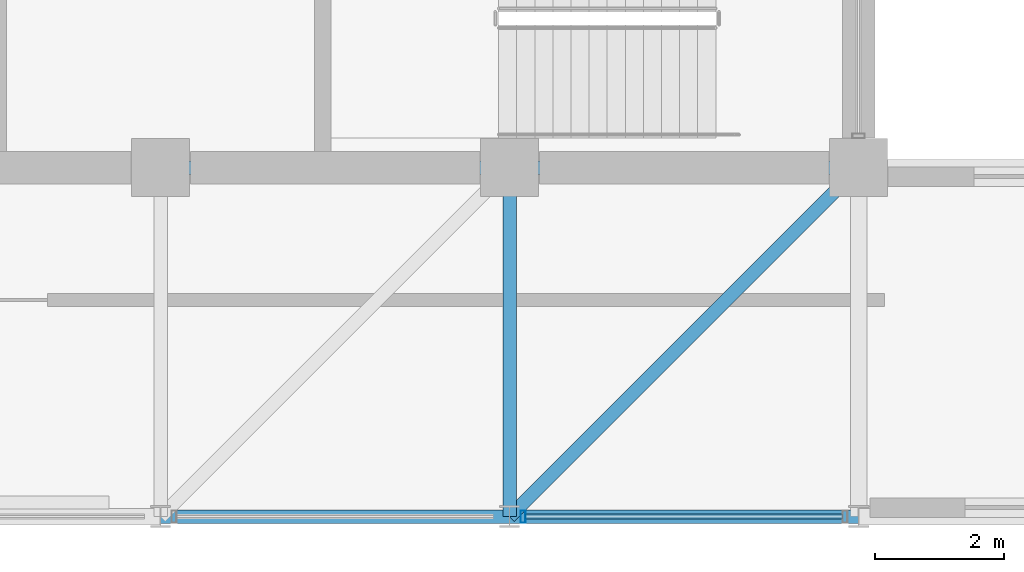
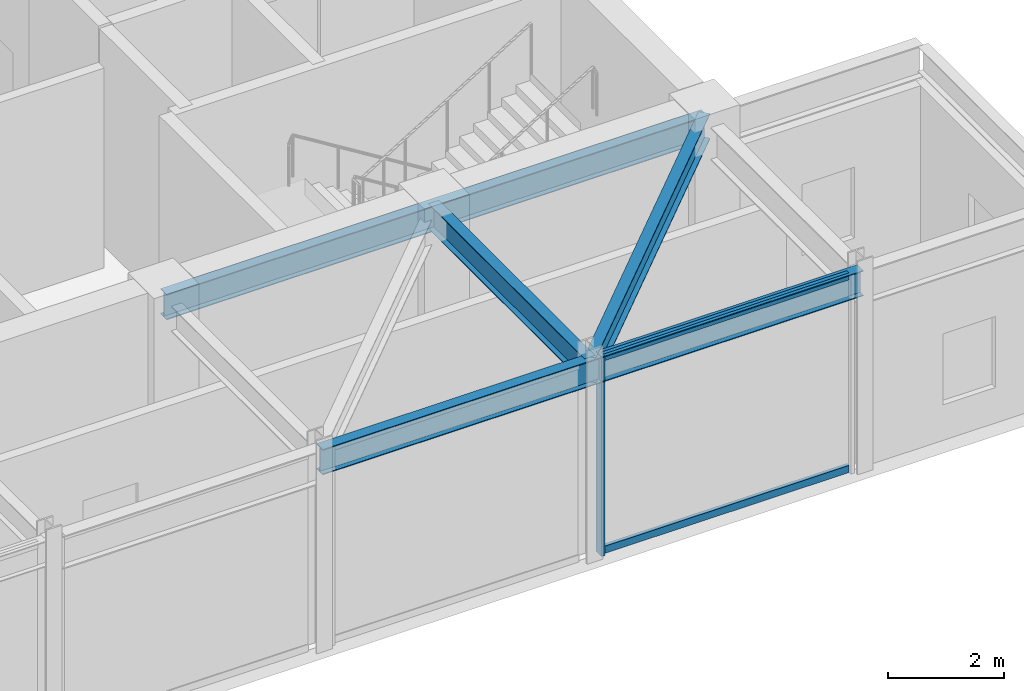
# One storey, part 5 of 18: 4 beams, 3 members, 1 element without a shape of its own.
"""IFC4 building model written with IfcOpenShell, lengths in metres."""

from ifc_helpers import new_model, si_unit, direction, frame, origin, origin_2d, place, context, subcontext, project, spatial, hollow_rectangle, i_section, extrude, material, layer, layer_set, material_profile, profile_set, type_object, element, aggregate, save


model = new_model("IFC4")

# Units and contexts
model_context = context("Model", 3, precision=1e-05, world=origin(), true_north=direction((0.0, 1.0)))
body_context = subcontext(model_context, "Body", "Model", "MODEL_VIEW")
ifc_project = project(units=[si_unit("LENGTHUNIT", "METRE"), si_unit("AREAUNIT", "SQUARE_METRE"), si_unit("VOLUMEUNIT", "CUBIC_METRE"), si_unit("PLANEANGLEUNIT", "RADIAN"), si_unit("MASSUNIT", "GRAM", prefix="KILO")], contexts=[model_context])

# Site, building, storey
site_placement = place(None, origin())
site = spatial("IfcSite", under=ifc_project, at=site_placement, CompositionType="ELEMENT")
building_placement = place(site_placement, origin())
building = spatial("IfcBuilding", under=site, at=building_placement, Name="Surkhivell Harbour Commons", CompositionType="ELEMENT")
storey_placement = place(building_placement, frame((0.0, 0.0, 351.0)))
storey = spatial("IfcBuildingStorey", under=building, at=storey_placement, Name="L91", CompositionType="ELEMENT", Elevation=351.0)

# Beams
ifc_material_1 = material(Name="Steel S355", Category="steel")
ifc_material_profile_1 = material_profile(ifc_material_1, i_section(OverallWidth=0.2099609375, OverallDepth=0.537109375, WebThickness=0.0107421875, FlangeThickness=0.017333984375, at=origin_2d()), Name="UB533x210x101")
ifc_profile_set_1 = profile_set([ifc_material_profile_1], Name="Steel S355")
beam_type = type_object("IfcBeamType", Name="BM-GRD-533B", PredefinedType="BEAM", material=ifc_profile_set_1)
for number, where, z_axis, x_axis, name in (
    (1, (0.0, -16.199951171875, 3.951416015625), (1.0, 0.0, 0.0), (0.0, 1.0, 0.0), "L91 Cantilever Back-Span Girder (0.0,-16.2)"),
    (2, (0.0, -10.800048828125, 3.951416015625), (1.0, 0.0, 0.0), (0.0, 1.0, 0.0), "L91 Cantilever Back-Span Girder (0.0,-10.8)"),
):
    element("IfcBeam", number, at=place(storey_placement, frame(where, z_axis=z_axis, x_axis=x_axis)), inside=storey, type_object=beam_type, Name=name, PredefinedType="BEAM", context=body_context, shape_type="SweptSolid", body=[
        extrude(i_section(OverallWidth=0.2099609375, OverallDepth=0.537109375, WebThickness=0.0107421875, FlangeThickness=0.017333984375, at=origin_2d()), origin(), (0.0, 0.0, 1.0), 10.800048828125),
    ])
beam_1_placement = place(storey_placement, frame((5.39990234375, -16.199951171875, 3.951416015625), z_axis=(0.0, 1.0, 0.0), x_axis=(-1.0, 0.0, 0.0)))
element("IfcBeam", 3, at=beam_1_placement, inside=storey, type_object=beam_type, Name="L91 Floor Girder (5.4,-16.2)", PredefinedType="BEAM", context=body_context, shape_type="SweptSolid", body=[
    extrude(i_section(OverallWidth=0.2099609375, OverallDepth=0.537109375, WebThickness=0.0107421875, FlangeThickness=0.017333984375, at=origin_2d()), origin(), (0.0, 0.0, 1.0), 5.39990234375),
])
beam_2_placement = place(storey_placement, frame((5.39990234375, -16.199951171875, 3.951416015625), z_axis=(0.707122765516, 0.707090796496, 0.0), x_axis=(-0.707090796496, 0.707122765516, 0.0)))
element("IfcBeam", 4, at=beam_2_placement, inside=storey, type_object=beam_type, Name="L91 Floor Girder (5.4,-16.2)", PredefinedType="BEAM", context=body_context, shape_type="SweptSolid", body=[
    extrude(i_section(OverallWidth=0.2099609375, OverallDepth=0.537109375, WebThickness=0.0107421875, FlangeThickness=0.017333984375, at=origin_2d()), origin(), (0.0, 0.0, 1.0), 7.63671875),
])

# Curtain wall, members
ifc_material_2 = material(Name="Anodised pale-metal aluminium and insulated glazing", Category="aluminium")
ifc_layer = layer(ifc_material_2, 0.22998046875)
ifc_layer_set = layer_set([ifc_layer], Name="Anodised pale-metal aluminium and insulated glazing")
curtain_wall_type = type_object("IfcCurtainWallType", Name="CW-SYS-CRN", PredefinedType="NOTDEFINED", material=ifc_layer_set)
curtain_wall_placement = place(storey_placement, origin())
curtain_wall = element("IfcCurtainWall", 5, at=curtain_wall_placement, inside=storey, type_object=curtain_wall_type, Name="L91 Curtain Wall CW-L91-C05", PredefinedType="NOTDEFINED")
ifc_material_3 = material(Name="Anodised pale-metal aluminium alloy 6063-T6", Category="aluminium")
ifc_material_profile_2 = material_profile(ifc_material_3, hollow_rectangle(XDim=0.074951171875, YDim=0.18994140625, WallThickness=0.00390625, at=origin_2d()), Name="ALU-MULL-75x190")
ifc_profile_set_2 = profile_set([ifc_material_profile_2], Name="Anodised pale-metal aluminium alloy 6063-T6")
member_type_1 = type_object("IfcMemberType", Name="CWM-190", PredefinedType="MULLION", material=ifc_profile_set_2)
member_1_placement = place(storey_placement, frame((5.609619140625, -16.199951171875, 0.0), z_axis=(0.0, 0.0, 1.0), x_axis=(1.0, 0.0, 0.0)))
member_1 = element("IfcMember", 6, at=member_1_placement, type_object=member_type_1, Name="CW-CRN mullion 5", PredefinedType="MULLION", context=body_context, shape_type="SweptSolid", body=[
    extrude(hollow_rectangle(XDim=0.074951171875, YDim=0.18994140625, WallThickness=0.00390625, at=origin_2d()), origin(), (0.0, 0.0, 1.0), 4.219970703125),
])
ifc_material_profile_3 = material_profile(ifc_material_3, hollow_rectangle(XDim=0.074951171875, YDim=0.14990234375, WallThickness=0.00341796875, at=origin_2d()), Name="ALU-TRAN-75x150")
ifc_profile_set_3 = profile_set([ifc_material_profile_3], Name="Anodised pale-metal aluminium alloy 6063-T6")
member_type_2 = type_object("IfcMemberType", Name="CWT-150", PredefinedType="USERDEFINED", material=ifc_profile_set_3)
member_2_placement = place(storey_placement, frame((5.64697265625, -16.199951171875, 0.074951171875), z_axis=(1.0, 0.0, 0.0), x_axis=(0.0, 1.0, 0.0)))
member_2 = element("IfcMember", 7, at=member_2_placement, type_object=member_type_2, Name="CW-CRN transom 5.1", ObjectType="TRANSOM", PredefinedType="USERDEFINED", context=body_context, shape_type="SweptSolid", body=[
    extrude(hollow_rectangle(XDim=0.074951171875, YDim=0.14990234375, WallThickness=0.00341796875, at=origin_2d()), origin(), (0.0, 0.0, 1.0), 4.906005859375),
])
member_3_placement = place(storey_placement, frame((5.64697265625, -16.199951171875, 4.14501953125), z_axis=(1.0, 0.0, 0.0), x_axis=(0.0, 1.0, 0.0)))
member_3 = element("IfcMember", 8, at=member_3_placement, type_object=member_type_2, Name="CW-CRN transom 5.2", ObjectType="TRANSOM", PredefinedType="USERDEFINED", context=body_context, shape_type="SweptSolid", body=[
    extrude(hollow_rectangle(XDim=0.074951171875, YDim=0.14990234375, WallThickness=0.00341796875, at=origin_2d()), origin(), (0.0, 0.0, 1.0), 4.906005859375),
])
aggregate(curtain_wall, [member_1, member_2, member_3])

save(model, "model.ifc")
